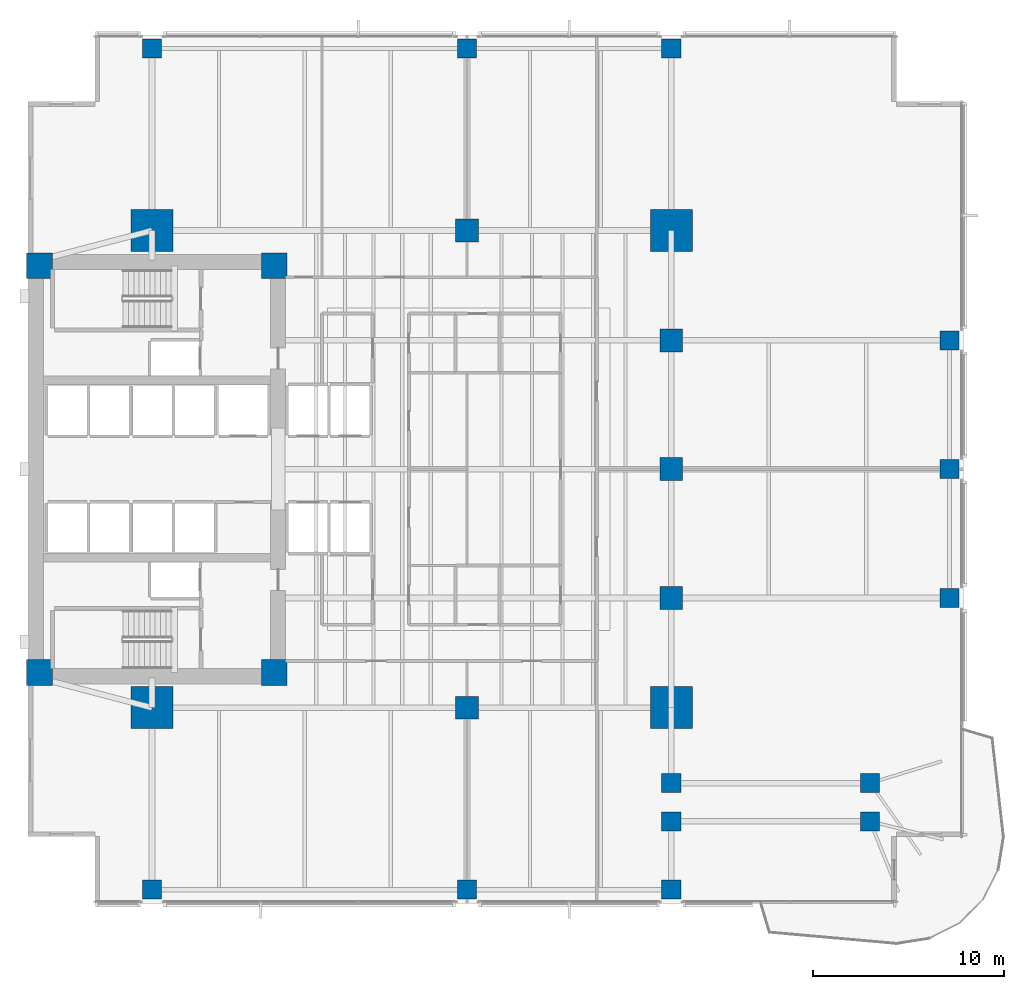
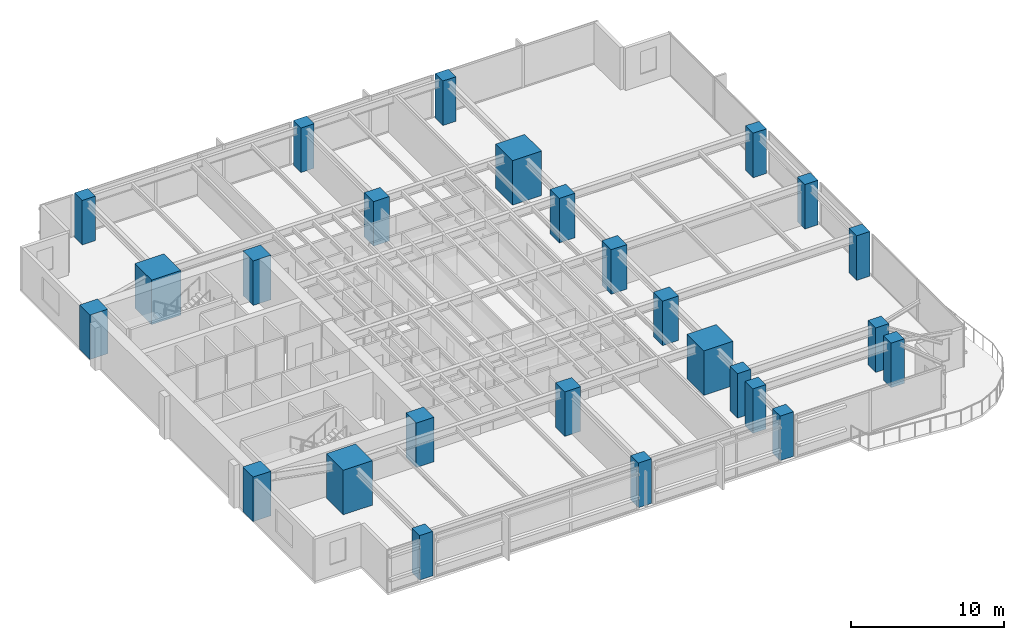
# One storey, part 1 of 15: 26 columns.
"""IFC4 building model written with IfcOpenShell, lengths in metres."""

from ifc_helpers import new_model, si_unit, direction, frame, origin, origin_2d, place, context, subcontext, project, spatial, rectangle, extrude, material, material_profile, profile_set, type_object, element, save


model = new_model("IFC4")

# Units and contexts
model_context = context("Model", 3, precision=1e-05, world=origin(), true_north=direction((0.0, 1.0)))
body_context = subcontext(model_context, "Body", "Model", "MODEL_VIEW")
ifc_project = project(units=[si_unit("LENGTHUNIT", "METRE"), si_unit("AREAUNIT", "SQUARE_METRE"), si_unit("VOLUMEUNIT", "CUBIC_METRE"), si_unit("PLANEANGLEUNIT", "RADIAN"), si_unit("MASSUNIT", "GRAM", prefix="KILO")], contexts=[model_context])

# Site, building, storey
site_placement = place(None, origin())
site = spatial("IfcSite", under=ifc_project, at=site_placement, CompositionType="ELEMENT")
building_placement = place(site_placement, origin())
building = spatial("IfcBuilding", under=site, at=building_placement, Name="Kinhvarn Gate Tower", CompositionType="ELEMENT")
storey_placement = place(building_placement, frame((0.0, 0.0, 39.800048828125)))
storey = spatial("IfcBuildingStorey", under=building, at=storey_placement, Name="L09", CompositionType="ELEMENT", Elevation=39.800048828125)

# Columns
ifc_material_1 = material(Name="Concrete C70/85", Category="concrete")
ifc_material_profile_1 = material_profile(ifc_material_1, rectangle(XDim=2.199951171875, YDim=2.199951171875, at=origin_2d()), Name="RC 2200x2200")
ifc_profile_set_1 = profile_set([ifc_material_profile_1], Name="Concrete C70/85")
column_type_1 = type_object("IfcColumnType", Name="COL-MC-2200", PredefinedType="COLUMN", material=ifc_profile_set_1)
for number, where, z_axis, x_axis, name in (
    (1, (11.0, 12.75, 0.0), (0.0, 0.0, 1.0), (1.0, 0.0, 0.0), "Column MC1-L09 (MC-22)"),
    (2, (11.0, 37.75, 0.0), (0.0, 0.0, 1.0), (1.0, 0.0, 0.0), "Column MC4-L09 (MC-22)"),
    (3, (38.199951171875, 12.75, 0.0), (0.0, 0.0, 1.0), (1.0, 0.0, 0.0), "Column MC2-L09 (MC-22)"),
    (4, (38.199951171875, 37.75, 0.0), (0.0, 0.0, 1.0), (1.0, 0.0, 0.0), "Column MC3-L09 (MC-22)"),
):
    element("IfcColumn", number, at=place(storey_placement, frame(where, z_axis=z_axis, x_axis=x_axis)), inside=storey, type_object=column_type_1, Name=name, PredefinedType="COLUMN", context=body_context, shape_type="SweptSolid", body=[
        extrude(rectangle(XDim=2.199951171875, YDim=2.199951171875, at=origin_2d()), origin(), (0.0, 0.0, 1.0), 3.550048828125),
    ])
ifc_material_2 = material(Name="Concrete C60/75", Category="concrete")
ifc_material_profile_2 = material_profile(ifc_material_2, rectangle(XDim=1.0, YDim=1.0, at=origin_2d()), Name="RC 1000x1000")
ifc_profile_set_2 = profile_set([ifc_material_profile_2], Name="Concrete C60/75")
column_type_2 = type_object("IfcColumnType", Name="COL-RC-1000", PredefinedType="COLUMN", material=ifc_profile_set_2)
for number, where, z_axis, x_axis, name in (
    (5, (48.6201171875, 6.800048828125, 0.0), (0.0, 0.0, 1.0), (1.0, 0.0, 0.0), "Column CS-SE1-L09 (C-100)"),
    (6, (38.199951171875, 6.800048828125, 0.0), (0.0, 0.0, 1.0), (1.0, 0.0, 0.0), "Column CS-ANC68-L09 (C-100)"),
    (7, (38.199951171875, 8.800048828125, 0.0), (0.0, 0.0, 1.0), (1.0, 0.0, 0.0), "Column CS-ANC88-L09 (C-100)"),
    (8, (48.6201171875, 8.800048828125, 0.0), (0.0, 0.0, 1.0), (1.0, 0.0, 0.0), "Column CS-SE1B-L09 (C-100)"),
    (9, (52.780029296875, 18.5, 0.0), (0.0, 0.0, 1.0), (1.0, 0.0, 0.0), "Column CE-1-L09 (C-100)"),
    (10, (52.780029296875, 25.25, 0.0), (0.0, 0.0, 1.0), (1.0, 0.0, 0.0), "Column CE-2-L09 (C-100)"),
    (11, (52.780029296875, 32.0, 0.0), (0.0, 0.0, 1.0), (1.0, 0.0, 0.0), "Column CE-3-L09 (C-100)"),
    (12, (11.0, 3.219970703125, 0.0), (0.0, 0.0, 1.0), (1.0, 0.0, 0.0), "Column CS-0-L09 (C-100)"),
    (13, (27.5, 3.219970703125, 0.0), (0.0, 0.0, 1.0), (1.0, 0.0, 0.0), "Column CS-1-L09 (C-100)"),
    (14, (38.199951171875, 3.219970703125, 0.0), (0.0, 0.0, 1.0), (1.0, 0.0, 0.0), "Column CS-2-L09 (C-100)"),
    (15, (11.0, 47.280029296875, 0.0), (0.0, 0.0, 1.0), (1.0, 0.0, 0.0), "Column CN-0-L09 (C-100)"),
    (16, (27.5, 47.280029296875, 0.0), (0.0, 0.0, 1.0), (1.0, 0.0, 0.0), "Column CN-1-L09 (C-100)"),
    (17, (38.199951171875, 47.280029296875, 0.0), (0.0, 0.0, 1.0), (1.0, 0.0, 0.0), "Column CN-2-L09 (C-100)"),
):
    element("IfcColumn", number, at=place(storey_placement, frame(where, z_axis=z_axis, x_axis=x_axis)), inside=storey, type_object=column_type_2, Name=name, PredefinedType="COLUMN", context=body_context, shape_type="SweptSolid", body=[
        extrude(rectangle(XDim=1.0, YDim=1.0, at=origin_2d()), origin(), (0.0, 0.0, 1.0), 3.550048828125),
    ])
ifc_material_profile_3 = material_profile(ifc_material_2, rectangle(XDim=1.199951171875, YDim=1.199951171875, at=origin_2d()), Name="RC 1200x1200")
ifc_profile_set_3 = profile_set([ifc_material_profile_3], Name="Concrete C60/75")
column_type_3 = type_object("IfcColumnType", Name="COL-RC-1200", PredefinedType="COLUMN", material=ifc_profile_set_3)
for number, where, z_axis, x_axis, name in (
    (18, (27.5, 12.75, 0.0), (0.0, 0.0, 1.0), (1.0, 0.0, 0.0), "Column SP27-S-L09 (C-120)"),
    (19, (27.5, 37.75, 0.0), (0.0, 0.0, 1.0), (1.0, 0.0, 0.0), "Column SP27-N-L09 (C-120)"),
    (20, (38.199951171875, 18.5, 0.0), (0.0, 0.0, 1.0), (1.0, 0.0, 0.0), "Column SP38-E1-L09 (C-120)"),
    (21, (38.199951171875, 25.25, 0.0), (0.0, 0.0, 1.0), (1.0, 0.0, 0.0), "Column SP38-E2-L09 (C-120)"),
    (22, (38.199951171875, 32.0, 0.0), (0.0, 0.0, 1.0), (1.0, 0.0, 0.0), "Column SP38-E3-L09 (C-120)"),
):
    element("IfcColumn", number, at=place(storey_placement, frame(where, z_axis=z_axis, x_axis=x_axis)), inside=storey, type_object=column_type_3, Name=name, PredefinedType="COLUMN", context=body_context, shape_type="SweptSolid", body=[
        extrude(rectangle(XDim=1.199951171875, YDim=1.199951171875, at=origin_2d()), origin(), (0.0, 0.0, 1.0), 3.550048828125),
    ])
ifc_material_profile_4 = material_profile(ifc_material_1, rectangle(XDim=1.35009765625, YDim=1.35009765625, at=origin_2d()), Name="RC 1350x1350")
ifc_profile_set_4 = profile_set([ifc_material_profile_4], Name="Concrete C70/85")
column_type_4 = type_object("IfcColumnType", Name="PIL-RC-1350", PredefinedType="PILASTER", material=ifc_profile_set_4)
for number, where, z_axis, x_axis, name in (
    (23, (5.10009765625, 14.60009765625, 0.0), (0.0, 0.0, 1.0), (1.0, 0.0, 0.0), "Column CC-SW-L09 (CP-135)"),
    (24, (5.10009765625, 35.89990234375, 0.0), (0.0, 0.0, 1.0), (1.0, 0.0, 0.0), "Column CC-NW-L09 (CP-135)"),
    (25, (17.39990234375, 14.60009765625, 0.0), (0.0, 0.0, 1.0), (1.0, 0.0, 0.0), "Column CC-SE-L09 (CP-135)"),
    (26, (17.39990234375, 35.89990234375, 0.0), (0.0, 0.0, 1.0), (1.0, 0.0, 0.0), "Column CC-NE-L09 (CP-135)"),
):
    element("IfcColumn", number, at=place(storey_placement, frame(where, z_axis=z_axis, x_axis=x_axis)), inside=storey, type_object=column_type_4, Name=name, PredefinedType="PILASTER", context=body_context, shape_type="SweptSolid", body=[
        extrude(rectangle(XDim=1.35009765625, YDim=1.35009765625, at=origin_2d()), origin(), (0.0, 0.0, 1.0), 3.550048828125),
    ])

save(model, "model.ifc")
